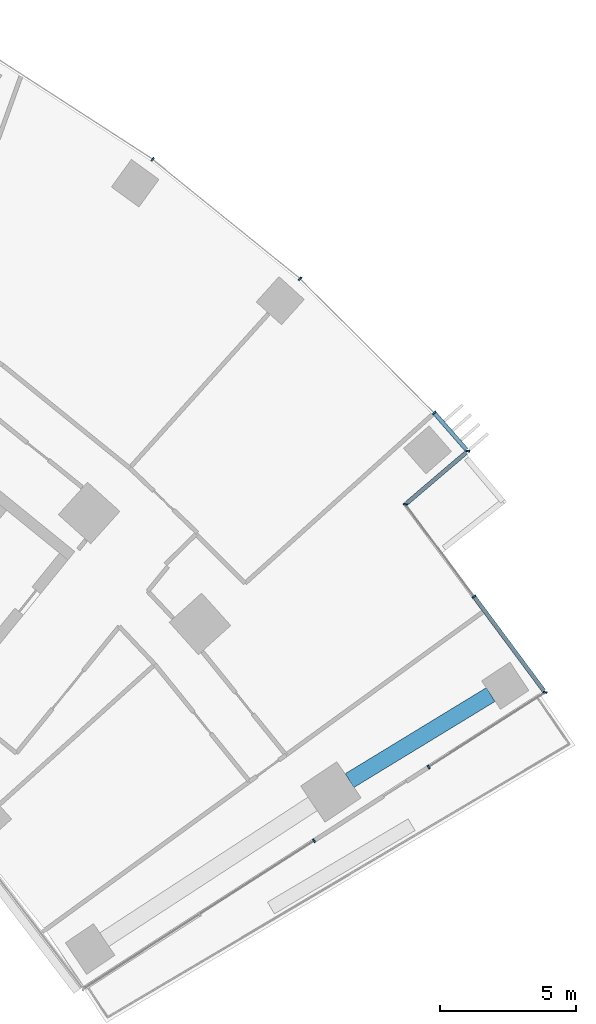
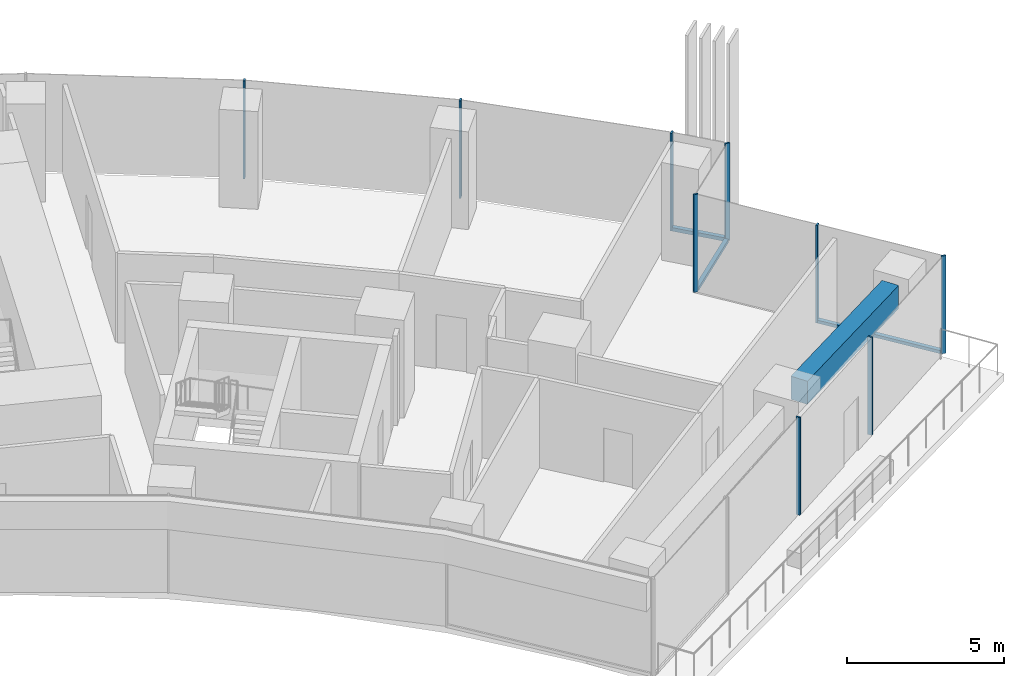
# One storey, part 10 of 21: 12 members, 1 beam, 4 elements without a shape of their own.
"""IFC4 building model written with IfcOpenShell, lengths in metres."""

from ifc_helpers import new_model, si_unit, direction, frame, origin, origin_2d, place, context, subcontext, project, spatial, rectangle, extrude, material, layer, layer_set, material_profile, profile_set, type_object, element, aggregate, save


model = new_model("IFC4")

# Units and contexts
model_context = context("Model", 3, precision=1e-05, world=origin(), true_north=direction((0.0, 1.0)))
body_context = subcontext(model_context, "Body", "Model", "MODEL_VIEW")
ifc_project = project(units=[si_unit("LENGTHUNIT", "METRE"), si_unit("AREAUNIT", "SQUARE_METRE"), si_unit("VOLUMEUNIT", "CUBIC_METRE"), si_unit("PLANEANGLEUNIT", "RADIAN"), si_unit("MASSUNIT", "GRAM", prefix="KILO")], contexts=[model_context])

# Site, building, storey
site_placement = place(None, origin())
site = spatial("IfcSite", under=ifc_project, at=site_placement, CompositionType="ELEMENT")
building_placement = place(site_placement, origin())
building = spatial("IfcBuilding", under=site, at=building_placement, Name="Stone Belt Terrace Tower", CompositionType="ELEMENT")
storey_placement = place(building_placement, frame((0.0, 0.0, 45.199951171875)))
storey = spatial("IfcBuildingStorey", under=building, at=storey_placement, Name="L10", CompositionType="ELEMENT", Elevation=45.199951171875)

# Curtain wall, members
ifc_material_1 = material(Name="Aluminium 6063-T6 anodised frame", Category="aluminium")
ifc_layer_1 = layer(ifc_material_1, 0.14990234375)
ifc_layer_set_1 = layer_set([ifc_layer_1], Name="CW-A unitised convex-face curtain wall")
curtain_wall_type_1 = type_object("IfcCurtainWallType", Name="CW-A unitised convex-face curtain wall", PredefinedType="NOTDEFINED", material=ifc_layer_set_1)
curtain_wall_1_placement = place(storey_placement, origin())
curtain_wall_1 = element("IfcCurtainWall", 1, at=curtain_wall_1_placement, inside=storey, type_object=curtain_wall_type_1, Name="CW-A convex face L10", PredefinedType="NOTDEFINED")
ifc_material_profile_1 = material_profile(ifc_material_1, rectangle(XDim=0.14990234375, YDim=0.06005859375, at=origin_2d()), Name="Aluminium 6063-T6 60x150")
ifc_profile_set_1 = profile_set([ifc_material_profile_1], Name="Aluminium 6063-T6 anodised frame")
member_type_1 = type_object("IfcMemberType", Name="CW-A mullion 60 x 150", PredefinedType="MULLION", material=ifc_profile_set_1)
member_1_placement = place(storey_placement, frame((50.704833984375, 43.14404296875, 0.0), z_axis=(0.0, 0.0, 1.0), x_axis=(-0.997370302564, 0.072473992328, 0.0)))
member_1 = element("IfcMember", 2, at=member_1_placement, type_object=member_type_1, Name="CW-A mullion 1", PredefinedType="MULLION", context=body_context, shape_type="SweptSolid", body=[
    extrude(rectangle(XDim=0.14990234375, YDim=0.06005859375, at=origin_2d()), origin(), (0.0, 0.0, 1.0), 3.800048828125),
])
member_2_placement = place(storey_placement, frame((49.473876953125, 44.548583984375, 0.0), z_axis=(0.0, 0.0, 1.0), x_axis=(-0.729987735312, -0.683460244853, 0.0)))
member_2 = element("IfcMember", 3, at=member_2_placement, type_object=member_type_1, Name="CW-A mullion 2", PredefinedType="MULLION", context=body_context, shape_type="SweptSolid", body=[
    extrude(rectangle(XDim=0.14990234375, YDim=0.06005859375, at=origin_2d()), origin(), (0.0, 0.0, 1.0), 3.800048828125),
])
member_3_placement = place(storey_placement, frame((44.54736328125, 49.474853515625, 0.0), z_axis=(0.0, 0.0, 1.0), x_axis=(-0.669130606359, -0.743144825477, 0.0)))
member_3 = element("IfcMember", 4, at=member_3_placement, type_object=member_type_1, Name="CW-A mullion 3", PredefinedType="MULLION", context=body_context, shape_type="SweptSolid", body=[
    extrude(rectangle(XDim=0.14990234375, YDim=0.06005859375, at=origin_2d()), origin(), (0.0, 0.0, 1.0), 3.800048828125),
])
member_4_placement = place(storey_placement, frame((39.1318359375, 53.8603515625, 0.0), z_axis=(0.0, 0.0, 1.0), x_axis=(-0.587785252292, -0.809016994375, 0.0)))
member_4 = element("IfcMember", 5, at=member_4_placement, type_object=member_type_1, Name="CW-A mullion 4", PredefinedType="MULLION", context=body_context, shape_type="SweptSolid", body=[
    extrude(rectangle(XDim=0.14990234375, YDim=0.06005859375, at=origin_2d()), origin(), (0.0, 0.0, 1.0), 3.800048828125),
])
ifc_material_profile_2 = material_profile(ifc_material_1, rectangle(XDim=0.14990234375, YDim=0.139892578125, at=origin_2d()), Name="Aluminium 6063-T6 150x140")
ifc_profile_set_2 = profile_set([ifc_material_profile_2], Name="Aluminium 6063-T6 anodised frame")
member_type_2 = type_object("IfcMemberType", Name="CW-A transom 140 x 150", PredefinedType="USERDEFINED", material=ifc_profile_set_2)
member_5_placement = place(storey_placement, frame((50.65576171875, 43.199951171875, 0.070068359375), z_axis=(-0.659054166524, 0.752095476378, 0.0), x_axis=(-0.752095476378, -0.659054166524, 0.0)))
member_5 = element("IfcMember", 6, at=member_5_placement, type_object=member_type_2, Name="CW-A transom 1.1", ObjectType="TRANSOM", PredefinedType="USERDEFINED", context=body_context, shape_type="SweptSolid", body=[
    extrude(rectangle(XDim=0.14990234375, YDim=0.139892578125, at=origin_2d()), origin(), (0.0, 0.0, 1.0), 1.7607421875),
])
aggregate(curtain_wall_1, [member_1, member_2, member_3, member_4, member_5])

ifc_layer_2 = layer(ifc_material_1, 0.14990234375)
ifc_layer_set_2 = layer_set([ifc_layer_2], Name="CW-C stick curtain wall, horn ends and notches")
curtain_wall_type_2 = type_object("IfcCurtainWallType", Name="CW-C stick curtain wall, horn ends and notches", PredefinedType="NOTDEFINED", material=ifc_layer_set_2)
curtain_wall_2_placement = place(storey_placement, origin())
curtain_wall_2 = element("IfcCurtainWall", 7, at=curtain_wall_2_placement, inside=storey, type_object=curtain_wall_type_2, Name="CW-C end face L10", PredefinedType="NOTDEFINED")
ifc_material_profile_3 = material_profile(ifc_material_1, rectangle(XDim=0.14990234375, YDim=0.06005859375, at=origin_2d()), Name="Aluminium 6063-T6 60x150")
ifc_profile_set_3 = profile_set([ifc_material_profile_3], Name="Aluminium 6063-T6 anodised frame")
member_type_3 = type_object("IfcMemberType", Name="CW-C mullion 60 x 150", PredefinedType="MULLION", material=ifc_profile_set_3)
member_6_placement = place(storey_placement, frame((45.059326171875, 28.843017578125, 0.0), z_axis=(0.0, 0.0, 1.0), x_axis=(-0.540302305869, 0.841470984807, 0.0)))
member_6 = element("IfcMember", 8, at=member_6_placement, type_object=member_type_3, Name="CW-C mullion 3", PredefinedType="MULLION", context=body_context, shape_type="SweptSolid", body=[
    extrude(rectangle(XDim=0.14990234375, YDim=0.06005859375, at=origin_2d()), origin(), (0.0, 0.0, 1.0), 3.800048828125),
])
member_7_placement = place(storey_placement, frame((49.2666015625, 31.544677734375, 0.0), z_axis=(0.0, 0.0, 1.0), x_axis=(-0.540302305869, 0.841470984807, 0.0)))
member_7 = element("IfcMember", 9, at=member_7_placement, type_object=member_type_3, Name="CW-C mullion 4", PredefinedType="MULLION", context=body_context, shape_type="SweptSolid", body=[
    extrude(rectangle(XDim=0.14990234375, YDim=0.06005859375, at=origin_2d()), origin(), (0.0, 0.0, 1.0), 3.800048828125),
])
aggregate(curtain_wall_2, [member_6, member_7])

curtain_wall_3_placement = place(storey_placement, origin())
curtain_wall_3 = element("IfcCurtainWall", 10, at=curtain_wall_3_placement, inside=storey, type_object=curtain_wall_type_2, Name="CW-C notch face L10", PredefinedType="NOTDEFINED")
member_8_placement = place(storey_placement, frame((53.54150390625, 34.28955078125, 0.0), z_axis=(0.0, 0.0, 1.0), x_axis=(-0.983706042756, 0.179784374864, 0.0)))
member_8 = element("IfcMember", 11, at=member_8_placement, type_object=member_type_3, Name="CW-C mullion 1", PredefinedType="MULLION", context=body_context, shape_type="SweptSolid", body=[
    extrude(rectangle(XDim=0.14990234375, YDim=0.06005859375, at=origin_2d()), origin(), (0.0, 0.0, 1.0), 3.800048828125),
])
member_9_placement = place(storey_placement, frame((50.934814453125, 37.8017578125, 0.0), z_axis=(0.0, 0.0, 1.0), x_axis=(-0.803011209749, -0.59596392258, 0.0)))
member_9 = element("IfcMember", 12, at=member_9_placement, type_object=member_type_3, Name="CW-C mullion 2", PredefinedType="MULLION", context=body_context, shape_type="SweptSolid", body=[
    extrude(rectangle(XDim=0.14990234375, YDim=0.06005859375, at=origin_2d()), origin(), (0.0, 0.0, 1.0), 3.800048828125),
])

# Curtain wall, member
curtain_wall_4_placement = place(storey_placement, origin())
curtain_wall_4 = element("IfcCurtainWall", 13, at=curtain_wall_4_placement, inside=storey, type_object=curtain_wall_type_2, Name="CW-C notch face L10", PredefinedType="NOTDEFINED")
member_10_placement = place(storey_placement, frame((48.417724609375, 41.193359375, 0.0), z_axis=(0.0, 0.0, 1.0), x_axis=(-0.993611226817, 0.112857121813, 0.0)))
member_10 = element("IfcMember", 14, at=member_10_placement, type_object=member_type_3, Name="CW-C mullion 1", PredefinedType="MULLION", context=body_context, shape_type="SweptSolid", body=[
    extrude(rectangle(XDim=0.14990234375, YDim=0.06005859375, at=origin_2d()), origin(), (0.0, 0.0, 1.0), 3.800048828125),
])

# Member
ifc_material_profile_4 = material_profile(ifc_material_1, rectangle(XDim=0.14990234375, YDim=0.1201171875, at=origin_2d()), Name="Aluminium 6063-T6 150x120")
ifc_profile_set_4 = profile_set([ifc_material_profile_4], Name="Aluminium 6063-T6 anodised frame")
member_type_4 = type_object("IfcMemberType", Name="CW-C transom 120 x 150", PredefinedType="USERDEFINED", material=ifc_profile_set_4)
member_11_placement = place(storey_placement, frame((53.49658203125, 34.349853515625, 0.06005859375), z_axis=(-0.595965912746, 0.803009732721, 0.0), x_axis=(-0.803009732721, -0.595965912746, 0.0)))
member_11 = element("IfcMember", 15, at=member_11_placement, type_object=member_type_4, Name="CW-C transom 1.1", ObjectType="TRANSOM", PredefinedType="USERDEFINED", context=body_context, shape_type="SweptSolid", body=[
    extrude(rectangle(XDim=0.14990234375, YDim=0.1201171875, at=origin_2d()), origin(), (0.0, 0.0, 1.0), 4.2685546875),
])

aggregate(curtain_wall_3, [member_8, member_9, member_11])

member_12_placement = place(storey_placement, frame((48.47314453125, 41.240966796875, 0.06005859375), z_axis=(0.760912085112, 0.648854990526, 0.0), x_axis=(-0.648854990526, 0.760912085112, 0.0)))
member_12 = element("IfcMember", 16, at=member_12_placement, type_object=member_type_4, Name="CW-C transom 1.1", ObjectType="TRANSOM", PredefinedType="USERDEFINED", context=body_context, shape_type="SweptSolid", body=[
    extrude(rectangle(XDim=0.14990234375, YDim=0.1201171875, at=origin_2d()), origin(), (0.0, 0.0, 1.0), 2.8583984375),
])

aggregate(curtain_wall_4, [member_10, member_12])

# Beam
ifc_material_2 = material(Name="Concrete B60", Category="concrete")
ifc_material_profile_5 = material_profile(ifc_material_2, rectangle(XDim=0.60009765625, YDim=0.89990234375, at=origin_2d()), Name="RC 600x900")
ifc_profile_set_5 = profile_set([ifc_material_profile_5], Name="Concrete B60")
beam_type = type_object("IfcBeamType", Name="Edge beam RC 600x900 B60", PredefinedType="SPANDREL", material=ifc_profile_set_5)
beam_placement = place(storey_placement, frame((46.364013671875, 31.048828125, 3.030029296875), z_axis=(0.853851123316, 0.520517299627, 0.0), x_axis=(-0.520517299627, 0.853851123316, 0.0)))
element("IfcBeam", 17, at=beam_placement, inside=storey, type_object=beam_type, Name="Edge beam L10 B Q to R", PredefinedType="SPANDREL", context=body_context, shape_type="SweptSolid", body=[
    extrude(rectangle(XDim=0.60009765625, YDim=0.89990234375, at=origin_2d()), origin(), (0.0, 0.0, 1.0), 6.06884765625),
])

save(model, "model.ifc")
